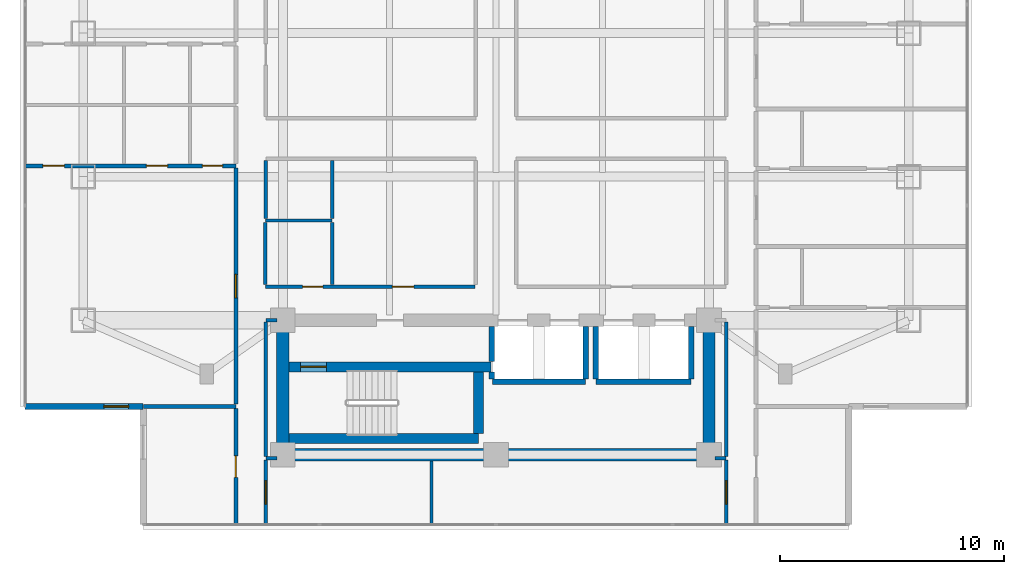
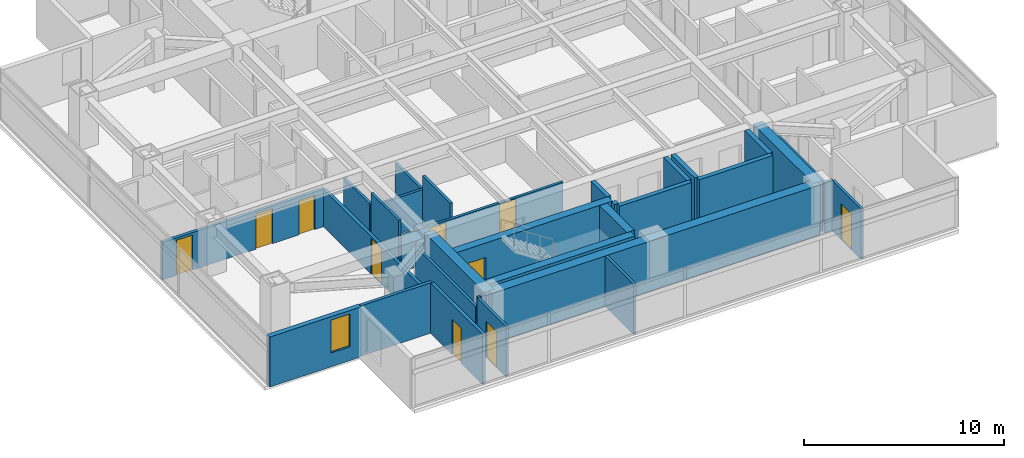
# One storey, part 13 of 25: 32 walls, 10 doors, 1 window, 11 openings.
"""IFC4 building model written with IfcOpenShell, lengths in metres."""

import ifcopenshell
import ifcopenshell.guid

model = None  # the IFC model being written
_history = None  # IfcOwnerHistory: only IFC2X3 demands one
_inside = {}  # id of a spatial element -> (the spatial element, [elements in it])
_under = {}  # id of a project, library or spatial element -> (it, [spatial elements below it])
_declared = {}  # id of a project -> (the project, [libraries it declares])
_typed = {}  # id of a type object -> (the type object, [elements of that type])
_made_of = {}  # id of a material, layer set ... -> (it, [elements and type objects made of it])


def new_model(schema):
    """Start an empty IFC model of exactly this schema.

    Asked for "IFC4X3", IfcOpenShell would pick the latest addendum, in which some entities
    have other attributes; the version numbers below select the first issue.
    IFC2X3 requires an IfcOwnerHistory on every rooted entity: one is made here for all.
    """
    global model, _history
    if schema == "IFC4X3":
        model = ifcopenshell.file(schema_version=(4, 3, 0, 0))
    else:
        model = ifcopenshell.file(schema=schema)
    _inside.clear()
    _under.clear()
    _declared.clear()
    _typed.clear()
    _made_of.clear()
    _history = None
    if model.schema == "IFC2X3":
        org = make("IfcOrganization", Name="unknown")
        user = make(
            "IfcPersonAndOrganization",
            ThePerson=make("IfcPerson", FamilyName="unknown"),
            TheOrganization=org,
        )
        app = make(
            "IfcApplication",
            ApplicationDeveloper=org,
            Version="unknown",
            ApplicationFullName="unknown",
            ApplicationIdentifier="unknown",
        )
        _history = make(
            "IfcOwnerHistory",
            OwningUser=user,
            OwningApplication=app,
            ChangeAction="ADDED",
            CreationDate=0,
        )
    return model


def make(cls, **values):
    """One entity of the class cls with the attributes given. An attribute that is None is left unset."""
    return model.create_entity(
        cls, **{name: value for name, value in values.items() if value is not None}
    )


def rooted(cls, **values):
    """An entity with a GlobalId (a new one), such as an element, a storey or a relation."""
    return make(cls, GlobalId=ifcopenshell.guid.new(), OwnerHistory=_history, **values)


def si_unit(unit_type, name, prefix=None):
    """IfcSIUnit, for example si_unit("LENGTHUNIT", "METRE", prefix="MILLI")."""
    return make("IfcSIUnit", UnitType=unit_type, Prefix=prefix, Name=name)


def assignment(units):
    """IfcUnitAssignment: the units of a project."""
    return None if units is None else make("IfcUnitAssignment", Units=units)


def point(xyz):
    """IfcCartesianPoint."""
    return None if xyz is None else make("IfcCartesianPoint", Coordinates=xyz)


def direction(xyz):
    """IfcDirection."""
    return None if xyz is None else make("IfcDirection", DirectionRatios=xyz)


def frame(location, z_axis=None, x_axis=None):
    """IfcAxis2Placement3D, a coordinate frame: its origin and axes. An axis left out is left unset."""
    return make(
        "IfcAxis2Placement3D",
        Location=point(location),
        Axis=direction(z_axis),
        RefDirection=direction(x_axis),
    )


def frame_2d(location, x_axis=None):
    """IfcAxis2Placement2D, a coordinate frame in the plane: its origin and x axis."""
    return make(
        "IfcAxis2Placement2D", Location=point(location), RefDirection=direction(x_axis)
    )


def origin():
    """The frame at (0, 0, 0) with its axes left unset."""
    return frame((0.0, 0.0, 0.0))


def place(relative_to, where):
    """IfcLocalPlacement: puts the frame where relative to a parent placement (None: the world)."""
    return make(
        "IfcLocalPlacement", PlacementRelTo=relative_to, RelativePlacement=where
    )


def context(
    kind, dimensions, precision=None, world=None, true_north=None, identifier=None
):
    """IfcGeometricRepresentationContext, for example the 3D "Model" context."""
    return make(
        "IfcGeometricRepresentationContext",
        ContextIdentifier=identifier,
        ContextType=kind,
        CoordinateSpaceDimension=dimensions,
        Precision=precision,
        WorldCoordinateSystem=world,
        TrueNorth=true_north,
    )


def subcontext(parent, identifier, kind, view, scale=None):
    """IfcGeometricRepresentationSubContext, for example "Body" below "Model"."""
    return make(
        "IfcGeometricRepresentationSubContext",
        ContextIdentifier=identifier,
        ContextType=kind,
        ParentContext=parent,
        TargetScale=scale,
        TargetView=view,
    )


def project(units=None, contexts=None):
    """IfcProject with its units and contexts."""
    return rooted(
        "IfcProject",
        Name="project",
        RepresentationContexts=contexts,
        UnitsInContext=assignment(units),
    )


def spatial(cls, under=None, at=None, **own):
    """A site, building, storey or space (cls), placed at a placement, below another one or the project."""
    s = rooted(cls, ObjectPlacement=at, **own)
    if under is not None:
        _under.setdefault(under.id(), (under, []))[1].append(s)
    return s


def profile(cls, at=None, kind="AREA", **sizes):
    """A parametric profile (cls). Its sizes go by their IFC names, for example OverallWidth=200.0."""
    return make(cls, ProfileType=kind, Position=at, **sizes)


def rectangle(**sizes):
    """IfcRectangleProfileDef."""
    return profile("IfcRectangleProfileDef", **sizes)


def extrude(swept, where, along, depth):
    """IfcExtrudedAreaSolid: the profile swept, set in the frame where, extruded along a direction by depth."""
    return make(
        "IfcExtrudedAreaSolid",
        SweptArea=swept,
        Position=where,
        ExtrudedDirection=direction(along),
        Depth=depth,
    )


def shape(context_of_items, identifier, shape_type, items):
    """IfcShapeRepresentation: the items that make up one representation, for example the "Body"."""
    return make(
        "IfcShapeRepresentation",
        ContextOfItems=context_of_items,
        RepresentationIdentifier=identifier,
        RepresentationType=shape_type,
        Items=items,
    )


def material(Name=None, Category=None):
    """IfcMaterial."""
    return make("IfcMaterial", Name=Name, Category=Category)


def layer(
    of_material, thickness, ventilated=None, Name=None, Category=None, Priority=None
):
    """IfcMaterialLayer: one layer of a wall or slab, of a material (None: an air gap)."""
    return make(
        "IfcMaterialLayer",
        Material=of_material,
        LayerThickness=thickness,
        IsVentilated=ventilated,
        Name=Name,
        Category=Category,
        Priority=Priority,
    )


def layer_set(layers, Name=None):
    """IfcMaterialLayerSet."""
    return make("IfcMaterialLayerSet", MaterialLayers=layers, LayerSetName=Name)


def made_of(thing, what):
    """Note that an element or type object is made of a material, layer set ...; save() writes the relation."""
    if what is not None:
        _made_of.setdefault(what.id(), (what, []))[1].append(thing)
    return thing


def type_object(cls, material=None, **own):
    """A type object (cls), such as IfcWallType, which elements share."""
    return made_of(rooted(cls, **own), material)


def element(
    cls,
    number,
    at=None,
    inside=None,
    cuts=None,
    type_object=None,
    material=None,
    context=None,
    identifier="Body",
    shape_type=None,
    held_by="IfcProductDefinitionShape",
    body=None,
    shapes=None,
    **own,
):
    """One element of the class cls, such as IfcWall. Its Tag is "e" and its number.

    at: its placement. inside: the storey or other place that contains it. cuts: it is an
    opening in that element (IfcRelVoidsElement). A single representation is given by context,
    identifier, shape_type and body (its items); several are given by shapes. held_by: the class
    of the entity that holds the representations. save() writes the other relations.
    """
    e = rooted(cls, Tag="e%d" % number, ObjectPlacement=at, **own)
    if body is not None:
        shapes = [shape(context, identifier, shape_type, body)]
    if shapes is not None:
        e.Representation = make(held_by, Representations=shapes)
    if inside is not None:
        _inside.setdefault(inside.id(), (inside, []))[1].append(e)
    if cuts is not None:
        rooted(
            "IfcRelVoidsElement", RelatingBuildingElement=cuts, RelatedOpeningElement=e
        )
    if type_object is not None:
        _typed.setdefault(type_object.id(), (type_object, []))[1].append(e)
    return made_of(e, material)


def fill(opening, filler):
    """IfcRelFillsElement: the door or window that sits in an opening."""
    return rooted(
        "IfcRelFillsElement",
        RelatingOpeningElement=opening,
        RelatedBuildingElement=filler,
    )


def aggregate(whole, parts):
    """IfcRelAggregates: a whole, such as a stair, and the parts it consists of."""
    return rooted("IfcRelAggregates", RelatingObject=whole, RelatedObjects=parts)


def save(model, path):
    """Write the relations noted so far, then the file.

    IfcRelAggregates (storeys below a building ...), IfcRelContainedInSpatialStructure (elements
    in a storey), IfcRelDefinesByType, IfcRelAssociatesMaterial and IfcRelDeclares: one each for
    every whole, place, type object, material and project.
    """
    for whole, parts in _under.values():
        aggregate(whole, parts)
    for where, things in _inside.values():
        rooted(
            "IfcRelContainedInSpatialStructure",
            RelatedElements=things,
            RelatingStructure=where,
        )
    for kind, things in _typed.values():
        rooted("IfcRelDefinesByType", RelatedObjects=things, RelatingType=kind)
    for what, things in _made_of.values():
        rooted("IfcRelAssociatesMaterial", RelatedObjects=things, RelatingMaterial=what)
    for by, libraries in _declared.values():
        rooted("IfcRelDeclares", RelatingContext=by, RelatedDefinitions=libraries)
    model.write(path)


model = new_model("IFC4")

# Units and contexts
model_context = context("Model", 3, precision=1e-05, world=origin(), true_north=direction((0.0, 1.0)))
body_context = subcontext(model_context, "Body", "Model", "MODEL_VIEW")
ifc_project = project(units=[si_unit("LENGTHUNIT", "METRE"), si_unit("AREAUNIT", "SQUARE_METRE"), si_unit("VOLUMEUNIT", "CUBIC_METRE"), si_unit("PLANEANGLEUNIT", "RADIAN"), si_unit("MASSUNIT", "GRAM", prefix="KILO")], contexts=[model_context])

# Site, building, storey
site_placement = place(None, origin())
site = spatial("IfcSite", under=ifc_project, at=site_placement, CompositionType="ELEMENT")
building_placement = place(site_placement, origin())
building = spatial("IfcBuilding", under=site, at=building_placement, Name="Mirazonda Arch Towers", CompositionType="ELEMENT")
storey_placement = place(building_placement, frame((0.0, 0.0, 131.300048828125)))
storey = spatial("IfcBuildingStorey", under=building, at=storey_placement, Name="L37", CompositionType="ELEMENT", Elevation=131.300048828125)

# Wall
ifc_material_1 = material(Name="Concrete C50/60", Category="concrete")
ifc_layer_1 = layer(ifc_material_1, 0.449951171875, Name="WALL-CORE-450")
ifc_layer_set_1 = layer_set([ifc_layer_1], Name="Concrete C50/60")
wall_type_1 = type_object("IfcWallType", Name="WALL-CORE-450", PredefinedType="SHEAR", material=ifc_layer_set_1)
wall_1_placement = place(storey_placement, frame((11.27001953125, 13.1201171875, 0.0), z_axis=(0.0, 0.0, 1.0), x_axis=(1.0, 0.0, 0.0)))
element("IfcWall", 1, at=wall_1_placement, inside=storey, type_object=wall_type_1, Name="L37 Stair Core Shear Wall 003", PredefinedType="SHEAR", context=body_context, shape_type="SweptSolid", body=[
    extrude(rectangle(XDim=8.4599609375, YDim=0.449951171875, at=frame_2d((4.22998046875, 0.0))), origin(), (0.0, 0.0, 1.0), 3.079833984375),
])

# Wall, opening, door
wall_2_placement = place(storey_placement, frame((11.27001953125, 16.320068359375, 0.0), z_axis=(0.0, 0.0, 1.0), x_axis=(1.0, 0.0, 0.0)))
wall_2 = element("IfcWall", 2, at=wall_2_placement, inside=storey, type_object=wall_type_1, Name="L37 Stair Core Shear Wall 008", PredefinedType="SHEAR", context=body_context, shape_type="SweptSolid", body=[
    extrude(rectangle(XDim=9.010009765625, YDim=0.449951171875, at=frame_2d((4.5048828125, 0.0))), origin(), (0.0, 0.0, 1.0), 3.079833984375),
])
opening_1_placement = place(wall_2_placement, frame((0.52001953125, 0.0, 0.0)))
opening_1 = element("IfcOpeningElement", 3, at=opening_1_placement, cuts=wall_2, Name="Opening DR-135", PredefinedType="OPENING", context=body_context, shape_type="SweptSolid", body=[
    extrude(rectangle(XDim=1.14990234375, YDim=2.199951171875, at=frame_2d((0.574951171875, 1.10009765625))), frame((0.0, 0.23486328125, 0.0), z_axis=(0.0, -1.0, 0.0), x_axis=(1.0, 0.0, 0.0)), (0.0, 0.0, 1.0), 0.469970703125),
])
ifc_material_2 = material(Name="Architectural Brushed Steel S355", Category="steel")
door_type_1 = type_object("IfcDoorType", Name="DOOR-STAIR-FD90-1150", OperationType="NOTDEFINED", PredefinedType="DOOR", material=ifc_material_2)
door_1_placement = place(opening_1_placement, origin())
door_1 = element("IfcDoor", 4, at=door_1_placement, inside=storey, type_object=door_type_1, Name="L37 Protected Exit Stair South Door", OperationType="SINGLE_SWING_RIGHT", OverallHeight=2.199951171875, OverallWidth=1.14990234375, PredefinedType="DOOR", context=body_context, shape_type="SweptSolid", body=[
    extrude(rectangle(XDim=1.14990234375, YDim=2.199951171875, at=frame_2d((0.574951171875, 1.10009765625))), frame((0.0, 0.02490234375, 0.0), z_axis=(0.0, -1.0, 0.0), x_axis=(1.0, 0.0, 0.0)), (0.0, 0.0, 1.0), 0.050048828125),
])
fill(opening_1, door_1)

# Walls
wall_3_placement = place(storey_placement, frame((19.72998046875, 13.35498046875, 0.0), z_axis=(0.0, 0.0, 1.0), x_axis=(0.0, 1.0, 0.0)))
element("IfcWall", 5, at=wall_3_placement, inside=storey, type_object=wall_type_1, Name="L37 Stair Core Shear Wall 087", PredefinedType="SHEAR", context=body_context, shape_type="SweptSolid", body=[
    extrude(rectangle(XDim=2.72998046875, YDim=0.449951171875, at=frame_2d((1.364990234375, 0.0))), origin(), (0.0, 0.0, 1.0), 3.079833984375),
])
ifc_layer_2 = layer(ifc_material_1, 0.550048828125, Name="WALL-CORE-550")
ifc_layer_set_2 = layer_set([ifc_layer_2], Name="Concrete C50/60")
wall_type_2 = type_object("IfcWallType", Name="WALL-CORE-550", PredefinedType="SHEAR", material=ifc_layer_set_2)
wall_4_placement = place(storey_placement, frame((11.0, 12.39990234375, 0.0), z_axis=(0.0, 0.0, 1.0), x_axis=(1.0, 0.0, 0.0)))
element("IfcWall", 6, at=wall_4_placement, inside=storey, type_object=wall_type_2, Name="L37 T1S-S Core Shear Wall", PredefinedType="SHEAR", context=body_context, shape_type="SweptSolid", body=[
    extrude(rectangle(XDim=19.0, YDim=0.550048828125, at=frame_2d((9.5, 0.0))), origin(), (0.0, 0.0, 1.0), 3.079833984375),
])
for number, where, z_axis, x_axis, name in (
    (7, (11.0, 12.39990234375, 0.0), (0.0, 0.0, 1.0), (0.0, 1.0, 0.0), "L37 T1S-W Core Shear Wall"),
    (8, (30.0, 12.39990234375, 0.0), (0.0, 0.0, 1.0), (0.0, 1.0, 0.0), "L37 T1S-E Core Shear Wall"),
):
    element("IfcWall", number, at=place(storey_placement, frame(where, z_axis=z_axis, x_axis=x_axis)), inside=storey, type_object=wall_type_2, Name=name, PredefinedType="SHEAR", context=body_context, shape_type="SweptSolid", body=[
        extrude(rectangle(XDim=6.0, YDim=0.550048828125, at=frame_2d((3.0, 0.0))), origin(), (0.0, 0.0, 1.0), 3.079833984375),
    ])

# Wall, opening, window
ifc_material_3 = material(Name="Precast Concrete C40/50", Category="concrete")
ifc_layer_3 = layer(ifc_material_3, 0.280029296875, Name="WALL-EXT-WALL-280")
ifc_layer_set_3 = layer_set([ifc_layer_3], Name="Precast Concrete C40/50")
wall_type_3 = type_object("IfcWallType", Name="WALL-EXT-WALL-280", PredefinedType="SOLIDWALL", material=ifc_layer_set_3)
wall_5_placement = place(storey_placement, frame((-0.5, 14.55810546875, 0.0), z_axis=(0.0, 0.0, 1.0), x_axis=(1.0, 0.0, 0.0)))
wall_5 = element("IfcWall", 9, at=wall_5_placement, inside=storey, type_object=wall_type_3, Name="L37 T1 Corner Notch Return Wall WL-L37-T1-CSW2", PredefinedType="SOLIDWALL", context=body_context, shape_type="SweptSolid", body=[
    extrude(rectangle(XDim=5.27001953125, YDim=0.280029296875, at=frame_2d((2.635009765625, 0.0))), origin(), (0.0, 0.0, 1.0), 3.06005859375),
])
opening_2_placement = place(wall_5_placement, frame((3.52001953125, 0.0, 0.85009765625)))
opening_2 = element("IfcOpeningElement", 10, at=opening_2_placement, cuts=wall_5, Name="Opening WN-108", PredefinedType="OPENING", context=body_context, shape_type="SweptSolid", body=[
    extrude(rectangle(XDim=1.10009765625, YDim=2.0, at=frame_2d((0.550048828125, 1.0))), frame((0.0, 0.14990234375, 0.0), z_axis=(0.0, -1.0, 0.0), x_axis=(1.0, 0.0, 0.0)), (0.0, 0.0, 1.0), 0.300048828125),
])
ifc_material_4 = material(Name="Insulated Low-E Solar Glass", Category="glass")
window_type = type_object("IfcWindowType", Name="WIN-NOTCH-1100x2000", PartitioningType="SINGLE_PANEL", PredefinedType="WINDOW", material=ifc_material_4)
window_placement = place(opening_2_placement, origin())
window = element("IfcWindow", 11, at=window_placement, inside=storey, type_object=window_type, Name="L37 Punched Facade Window WN-L37-T1-CSW2", OverallHeight=2.0, OverallWidth=1.10009765625, PartitioningType="SINGLE_PANEL", PredefinedType="WINDOW", context=body_context, shape_type="SweptSolid", body=[
    extrude(rectangle(XDim=1.10009765625, YDim=2.0, at=frame_2d((0.550048828125, 1.0))), frame((0.0, 0.030029296875, 0.0), z_axis=(0.0, -1.0, 0.0), x_axis=(1.0, 0.0, 0.0)), (0.0, 0.0, 1.0), 0.06005859375),
])
fill(opening_2, window)

# Walls
ifc_material_5 = material(Name="Fire-Rated Gypsum Stud Partition")
ifc_layer_4 = layer(ifc_material_5, 0.14990234375, Name="WALL-PART-CORR-150")
ifc_layer_set_4 = layer_set([ifc_layer_4], Name="Fire-Rated Gypsum Stud Partition")
wall_type_4 = type_object("IfcWallType", Name="WALL-PART-CORR-150", PredefinedType="PARTITIONING", material=ifc_layer_set_4)
for number, where, z_axis, x_axis, name in (
    (12, (10.239990234375, 12.25, 0.0), (0.0, 0.0, 1.0), (1.0, 0.0, 0.0), "L37 Interior Partition 001"),
    (13, (30.27001953125, 12.25, 0.0), (0.0, 0.0, 1.0), (1.0, 0.0, 0.0), "L37 Interior Partition 002"),
):
    element("IfcWall", number, at=place(storey_placement, frame(where, z_axis=z_axis, x_axis=x_axis)), inside=storey, type_object=wall_type_4, Name=name, PredefinedType="PARTITIONING", context=body_context, shape_type="SweptSolid", body=[
        extrude(rectangle(XDim=0.489990234375, YDim=0.14990234375, at=frame_2d((0.2451171875, 0.0))), origin(), (0.0, 0.0, 1.0), 3.079833984375),
    ])
wall_6_placement = place(storey_placement, frame((10.239990234375, 18.39990234375, 0.0), z_axis=(0.0, 0.0, 1.0), x_axis=(1.0, 0.0, 0.0)))
element("IfcWall", 14, at=wall_6_placement, inside=storey, type_object=wall_type_4, Name="L37 Interior Partition 012", PredefinedType="PARTITIONING", context=body_context, shape_type="SweptSolid", body=[
    extrude(rectangle(XDim=0.489990234375, YDim=0.14990234375, at=frame_2d((0.2451171875, 0.0))), origin(), (0.0, 0.0, 1.0), 2.4560546875),
])

# Wall, openings, doors
wall_7_placement = place(storey_placement, frame((10.219970703125, 19.89990234375, 0.0), z_axis=(0.0, 0.0, 1.0), x_axis=(1.0, 0.0, 0.0)))
wall_7 = element("IfcWall", 15, at=wall_7_placement, inside=storey, type_object=wall_type_4, Name="L37 Interior Partition 016", PredefinedType="PARTITIONING", context=body_context, shape_type="SweptSolid", body=[
    extrude(rectangle(XDim=9.340087890625, YDim=0.14990234375, at=frame_2d((4.669921875, 0.0))), origin(), (0.0, 0.0, 1.0), 2.216064453125),
])
opening_3_placement = place(wall_7_placement, frame((1.659912109375, 0.0, 0.0)))
opening_3 = element("IfcOpeningElement", 16, at=opening_3_placement, cuts=wall_7, Name="Opening DR-120", PredefinedType="OPENING", context=body_context, shape_type="SweptSolid", body=[
    extrude(rectangle(XDim=0.89990234375, YDim=2.10009765625, at=frame_2d((0.449951171875, 1.050048828125))), frame((0.0, 0.0849609375, 0.0), z_axis=(0.0, -1.0, 0.0), x_axis=(1.0, 0.0, 0.0)), (0.0, 0.0, 1.0), 0.169921875),
])
opening_4_placement = place(wall_7_placement, frame((5.6650390625, 0.0, 0.0)))
opening_4 = element("IfcOpeningElement", 17, at=opening_4_placement, cuts=wall_7, Name="Opening DR-104", PredefinedType="OPENING", context=body_context, shape_type="SweptSolid", body=[
    extrude(rectangle(XDim=0.949951171875, YDim=2.14990234375, at=frame_2d((0.47509765625, 1.074951171875))), frame((0.0, 0.0849609375, 0.0), z_axis=(0.0, -1.0, 0.0), x_axis=(1.0, 0.0, 0.0)), (0.0, 0.0, 1.0), 0.169921875),
])
door_type_2 = type_object("IfcDoorType", Name="DOOR-ROOM-950", OperationType="NOTDEFINED", PredefinedType="DOOR", material=ifc_material_2)
door_2_placement = place(opening_4_placement, origin())
door_2 = element("IfcDoor", 18, at=door_2_placement, inside=storey, type_object=door_type_2, Name="L37 L37 West Courtyard Study Door", OperationType="SINGLE_SWING_RIGHT", OverallHeight=2.14990234375, OverallWidth=0.949951171875, PredefinedType="DOOR", context=body_context, shape_type="SweptSolid", body=[
    extrude(rectangle(XDim=0.949951171875, YDim=2.14990234375, at=frame_2d((0.47509765625, 1.074951171875))), frame((0.0, 0.02490234375, 0.0), z_axis=(0.0, -1.0, 0.0), x_axis=(1.0, 0.0, 0.0)), (0.0, 0.0, 1.0), 0.050048828125),
])
fill(opening_4, door_2)
door_type_3 = type_object("IfcDoorType", Name="DOOR-WC-900", OperationType="NOTDEFINED", PredefinedType="DOOR", material=ifc_material_2)
door_3_placement = place(opening_3_placement, origin())
door_3 = element("IfcDoor", 19, at=door_3_placement, inside=storey, type_object=door_type_3, Name="L37 Common Accessible WC Door", OperationType="SINGLE_SWING_LEFT", OverallHeight=2.10009765625, OverallWidth=0.89990234375, PredefinedType="DOOR", context=body_context, shape_type="SweptSolid", body=[
    extrude(rectangle(XDim=0.89990234375, YDim=2.10009765625, at=frame_2d((0.449951171875, 1.050048828125))), frame((0.0, 0.02490234375, 0.0), z_axis=(0.0, -1.0, 0.0), x_axis=(1.0, 0.0, 0.0)), (0.0, 0.0, 1.0), 0.050048828125),
])
fill(opening_3, door_3)

# Walls
wall_8_placement = place(storey_placement, frame((10.219970703125, 22.85009765625, 0.0), z_axis=(0.0, 0.0, 1.0), x_axis=(1.0, 0.0, 0.0)))
element("IfcWall", 20, at=wall_8_placement, inside=storey, type_object=wall_type_4, Name="L37 Interior Partition 024", PredefinedType="PARTITIONING", context=body_context, shape_type="SweptSolid", body=[
    extrude(rectangle(XDim=2.97998046875, YDim=0.14990234375, at=frame_2d((1.489990234375, 0.0))), origin(), (0.0, 0.0, 1.0), 2.216064453125),
])
wall_9_placement = place(storey_placement, frame((10.219970703125, 19.985107421875, 0.0), z_axis=(0.0, 0.0, 1.0), x_axis=(0.0, 1.0, 0.0)))
element("IfcWall", 21, at=wall_9_placement, inside=storey, type_object=wall_type_4, Name="L37 Interior Partition 072", PredefinedType="PARTITIONING", context=body_context, shape_type="SweptSolid", body=[
    extrude(rectangle(XDim=2.77978515625, YDim=0.14990234375, at=frame_2d((1.389892578125, 0.0))), origin(), (0.0, 0.0, 1.0), 3.079833984375),
])

# Wall, opening, door
wall_10_placement = place(storey_placement, frame((10.239990234375, 9.2880859375, 0.0), z_axis=(0.0, 0.0, 1.0), x_axis=(0.0, 1.0, 0.0)))
wall_10 = element("IfcWall", 22, at=wall_10_placement, inside=storey, type_object=wall_type_4, Name="L37 Interior Partition 073", PredefinedType="PARTITIONING", context=body_context, shape_type="SweptSolid", body=[
    extrude(rectangle(XDim=2.876953125, YDim=0.14990234375, at=frame_2d((1.4384765625, 0.0))), origin(), (0.0, 0.0, 1.0), 3.079833984375),
])
opening_5_placement = place(wall_10_placement, frame((0.91357421875, 0.0, 0.0)))
opening_5 = element("IfcOpeningElement", 23, at=opening_5_placement, cuts=wall_10, Name="Opening DR-121", PredefinedType="OPENING", context=body_context, shape_type="SweptSolid", body=[
    extrude(rectangle(XDim=1.050048828125, YDim=2.199951171875, at=frame_2d((0.52490234375, 1.10009765625))), frame((0.0, 0.0849609375, 0.0), z_axis=(0.0, -1.0, 0.0), x_axis=(1.0, 0.0, 0.0)), (0.0, 0.0, 1.0), 0.169921875),
])
door_type_4 = type_object("IfcDoorType", Name="DOOR-SUITE-FD60-1050", OperationType="NOTDEFINED", PredefinedType="DOOR", material=ifc_material_2)
door_4_placement = place(opening_5_placement, origin())
door_4 = element("IfcDoor", 24, at=door_4_placement, inside=storey, type_object=door_type_4, Name="L37 South Panoramic Study Minor Door", OperationType="SINGLE_SWING_RIGHT", OverallHeight=2.199951171875, OverallWidth=1.050048828125, PredefinedType="DOOR", context=body_context, shape_type="SweptSolid", body=[
    extrude(rectangle(XDim=1.050048828125, YDim=2.199951171875, at=frame_2d((0.52490234375, 1.10009765625))), frame((0.0, 0.02490234375, 0.0), z_axis=(0.0, -1.0, 0.0), x_axis=(1.0, 0.0, 0.0)), (0.0, 0.0, 1.0), 0.050048828125),
])
fill(opening_5, door_4)

# Walls
wall_11_placement = place(storey_placement, frame((10.239990234375, 12.3349609375, 0.0), z_axis=(0.0, 0.0, 1.0), x_axis=(0.0, 1.0, 0.0)))
element("IfcWall", 25, at=wall_11_placement, inside=storey, type_object=wall_type_4, Name="L37 Interior Partition 074", PredefinedType="PARTITIONING", context=body_context, shape_type="SweptSolid", body=[
    extrude(rectangle(XDim=5.97998046875, YDim=0.14990234375, at=frame_2d((2.989990234375, 0.0))), origin(), (0.0, 0.0, 1.0), 2.4560546875),
])
wall_12_placement = place(storey_placement, frame((10.239990234375, 22.93505859375, 0.0), z_axis=(0.0, 0.0, 1.0), x_axis=(0.0, 1.0, 0.0)))
element("IfcWall", 26, at=wall_12_placement, inside=storey, type_object=wall_type_4, Name="L37 Interior Partition 075", PredefinedType="PARTITIONING", context=body_context, shape_type="SweptSolid", body=[
    extrude(rectangle(XDim=2.579833984375, YDim=0.14990234375, at=frame_2d((1.2900390625, 0.0))), origin(), (0.0, 0.0, 1.0), 2.299072265625),
])
wall_13_placement = place(storey_placement, frame((13.199951171875, 19.985107421875, 0.0), z_axis=(0.0, 0.0, 1.0), x_axis=(0.0, 1.0, 0.0)))
element("IfcWall", 27, at=wall_13_placement, inside=storey, type_object=wall_type_4, Name="L37 Interior Partition 080", PredefinedType="PARTITIONING", context=body_context, shape_type="SweptSolid", body=[
    extrude(rectangle(XDim=2.77978515625, YDim=0.14990234375, at=frame_2d((1.389892578125, 0.0))), origin(), (0.0, 0.0, 1.0), 3.079833984375),
])
wall_14_placement = place(storey_placement, frame((13.199951171875, 22.93505859375, 0.0), z_axis=(0.0, 0.0, 1.0), x_axis=(0.0, 1.0, 0.0)))
element("IfcWall", 28, at=wall_14_placement, inside=storey, type_object=wall_type_4, Name="L37 Interior Partition 081", PredefinedType="PARTITIONING", context=body_context, shape_type="SweptSolid", body=[
    extrude(rectangle(XDim=2.579833984375, YDim=0.14990234375, at=frame_2d((1.2900390625, 0.0))), origin(), (0.0, 0.0, 1.0), 2.216064453125),
])
wall_15_placement = place(storey_placement, frame((17.626953125, 9.2880859375, 0.0), z_axis=(0.0, 0.0, 1.0), x_axis=(0.0, 1.0, 0.0)))
element("IfcWall", 29, at=wall_15_placement, inside=storey, type_object=wall_type_4, Name="L37 Interior Partition 083", PredefinedType="PARTITIONING", context=body_context, shape_type="SweptSolid", body=[
    extrude(rectangle(XDim=2.841796875, YDim=0.14990234375, at=frame_2d((1.4208984375, 0.0))), origin(), (0.0, 0.0, 1.0), 3.079833984375),
])

# Wall, opening, door
wall_16_placement = place(storey_placement, frame((30.760009765625, 9.2880859375, 0.0), z_axis=(0.0, 0.0, 1.0), x_axis=(0.0, 1.0, 0.0)))
wall_16 = element("IfcWall", 30, at=wall_16_placement, inside=storey, type_object=wall_type_4, Name="L37 Interior Partition 104", PredefinedType="PARTITIONING", context=body_context, shape_type="SweptSolid", body=[
    extrude(rectangle(XDim=2.876953125, YDim=0.14990234375, at=frame_2d((1.4384765625, 0.0))), origin(), (0.0, 0.0, 1.0), 3.079833984375),
])
opening_6_placement = place(wall_16_placement, frame((0.91357421875, 0.0, 0.0)))
opening_6 = element("IfcOpeningElement", 31, at=opening_6_placement, cuts=wall_16, Name="Opening DR-121", PredefinedType="OPENING", context=body_context, shape_type="SweptSolid", body=[
    extrude(rectangle(XDim=1.050048828125, YDim=2.199951171875, at=frame_2d((0.52490234375, 1.10009765625))), frame((0.0, 0.0849609375, 0.0), z_axis=(0.0, -1.0, 0.0), x_axis=(1.0, 0.0, 0.0)), (0.0, 0.0, 1.0), 0.169921875),
])
door_5_placement = place(opening_6_placement, origin())
door_5 = element("IfcDoor", 32, at=door_5_placement, inside=storey, type_object=door_type_4, Name="L37 South Panoramic Study Grand Door", OperationType="SINGLE_SWING_LEFT", OverallHeight=2.199951171875, OverallWidth=1.050048828125, PredefinedType="DOOR", context=body_context, shape_type="SweptSolid", body=[
    extrude(rectangle(XDim=1.050048828125, YDim=2.199951171875, at=frame_2d((0.52490234375, 1.10009765625))), frame((0.0, 0.02490234375, 0.0), z_axis=(0.0, -1.0, 0.0), x_axis=(1.0, 0.0, 0.0)), (0.0, 0.0, 1.0), 0.050048828125),
])
fill(opening_6, door_5)

# Walls
wall_17_placement = place(storey_placement, frame((30.760009765625, 12.3349609375, 0.0), z_axis=(0.0, 0.0, 1.0), x_axis=(0.0, 1.0, 0.0)))
element("IfcWall", 33, at=wall_17_placement, inside=storey, type_object=wall_type_4, Name="L37 Interior Partition 105", PredefinedType="PARTITIONING", context=body_context, shape_type="SweptSolid", body=[
    extrude(rectangle(XDim=5.97998046875, YDim=0.14990234375, at=frame_2d((2.989990234375, 0.0))), origin(), (0.0, 0.0, 1.0), 2.4560546875),
])
ifc_material_6 = material(Name="Fire-Rated Gypsum Twin-Stud Assembly")
ifc_layer_5 = layer(ifc_material_6, 0.179931640625, Name="WALL-PART-DEMISE-180")
ifc_layer_set_5 = layer_set([ifc_layer_5], Name="Fire-Rated Gypsum Twin-Stud Assembly")
wall_type_5 = type_object("IfcWallType", Name="WALL-PART-DEMISE-180", PredefinedType="PARTITIONING", material=ifc_layer_set_5)
wall_18_placement = place(storey_placement, frame((4.7900390625, 14.55810546875, 0.0), z_axis=(0.0, 0.0, 1.0), x_axis=(1.0, 0.0, 0.0)))
element("IfcWall", 34, at=wall_18_placement, inside=storey, type_object=wall_type_5, Name="L37 Interior Partition 004", PredefinedType="PARTITIONING", context=body_context, shape_type="SweptSolid", body=[
    extrude(rectangle(XDim=4.10986328125, YDim=0.179931640625, at=frame_2d((2.054931640625, 0.0))), origin(), (0.0, 0.0, 1.0), 3.079833984375),
])

# Wall, openings, doors
wall_19_placement = place(storey_placement, frame((-0.5, 25.280029296875, 0.0), z_axis=(0.0, 0.0, 1.0), x_axis=(1.0, 0.0, 0.0)))
wall_19 = element("IfcWall", 35, at=wall_19_placement, inside=storey, type_object=wall_type_5, Name="L37 Interior Partition 028", PredefinedType="PARTITIONING", context=body_context, shape_type="SweptSolid", body=[
    extrude(rectangle(XDim=9.39990234375, YDim=0.179931640625, at=frame_2d((4.699951171875, 0.0))), origin(), (0.0, 0.0, 1.0), 2.299072265625),
])
opening_7_placement = place(wall_19_placement, frame((0.802978515625, 0.0, 0.0)))
opening_7 = element("IfcOpeningElement", 36, at=opening_7_placement, cuts=wall_19, Name="Opening DR-104", PredefinedType="OPENING", context=body_context, shape_type="SweptSolid", body=[
    extrude(rectangle(XDim=0.949951171875, YDim=2.14990234375, at=frame_2d((0.47509765625, 1.074951171875))), frame((0.0, 0.099853515625, 0.0), z_axis=(0.0, -1.0, 0.0), x_axis=(1.0, 0.0, 0.0)), (0.0, 0.0, 1.0), 0.199951171875),
])
opening_8_placement = place(wall_19_placement, frame((5.4130859375, 0.0, 0.0)))
opening_8 = element("IfcOpeningElement", 37, at=opening_8_placement, cuts=wall_19, Name="Opening DR-104", PredefinedType="OPENING", context=body_context, shape_type="SweptSolid", body=[
    extrude(rectangle(XDim=0.949951171875, YDim=2.14990234375, at=frame_2d((0.47509765625, 1.074951171875))), frame((0.0, 0.099853515625, 0.0), z_axis=(0.0, -1.0, 0.0), x_axis=(1.0, 0.0, 0.0)), (0.0, 0.0, 1.0), 0.199951171875),
])
opening_9_placement = place(wall_19_placement, frame((7.909912109375, 0.0, 0.0)))
opening_9 = element("IfcOpeningElement", 38, at=opening_9_placement, cuts=wall_19, Name="Opening DR-120", PredefinedType="OPENING", context=body_context, shape_type="SweptSolid", body=[
    extrude(rectangle(XDim=0.89990234375, YDim=2.10009765625, at=frame_2d((0.449951171875, 1.050048828125))), frame((0.0, 0.099853515625, 0.0), z_axis=(0.0, -1.0, 0.0), x_axis=(1.0, 0.0, 0.0)), (0.0, 0.0, 1.0), 0.199951171875),
])
door_6_placement = place(opening_7_placement, origin())
door_6 = element("IfcDoor", 39, at=door_6_placement, inside=storey, type_object=door_type_2, Name="L37 Residence 1 Principal Bedroom Door", OperationType="SINGLE_SWING_LEFT", OverallHeight=2.14990234375, OverallWidth=0.949951171875, PredefinedType="DOOR", context=body_context, shape_type="SweptSolid", body=[
    extrude(rectangle(XDim=0.949951171875, YDim=2.14990234375, at=frame_2d((0.47509765625, 1.074951171875))), frame((0.0, 0.02490234375, 0.0), z_axis=(0.0, -1.0, 0.0), x_axis=(1.0, 0.0, 0.0)), (0.0, 0.0, 1.0), 0.050048828125),
])
fill(opening_7, door_6)
door_7_placement = place(opening_8_placement, origin())
door_7 = element("IfcDoor", 40, at=door_7_placement, inside=storey, type_object=door_type_2, Name="L37 Residence 1 Fitted Kitchen Door", OperationType="SINGLE_SWING_RIGHT", OverallHeight=2.14990234375, OverallWidth=0.949951171875, PredefinedType="DOOR", context=body_context, shape_type="SweptSolid", body=[
    extrude(rectangle(XDim=0.949951171875, YDim=2.14990234375, at=frame_2d((0.47509765625, 1.074951171875))), frame((0.0, 0.02490234375, 0.0), z_axis=(0.0, -1.0, 0.0), x_axis=(1.0, 0.0, 0.0)), (0.0, 0.0, 1.0), 0.050048828125),
])
fill(opening_8, door_7)
door_8_placement = place(opening_9_placement, origin())
door_8 = element("IfcDoor", 41, at=door_8_placement, inside=storey, type_object=door_type_3, Name="L37 Residence 1 Bathroom Door", OperationType="SINGLE_SWING_LEFT", OverallHeight=2.10009765625, OverallWidth=0.89990234375, PredefinedType="DOOR", context=body_context, shape_type="SweptSolid", body=[
    extrude(rectangle(XDim=0.89990234375, YDim=2.10009765625, at=frame_2d((0.449951171875, 1.050048828125))), frame((0.0, 0.02490234375, 0.0), z_axis=(0.0, -1.0, 0.0), x_axis=(1.0, 0.0, 0.0)), (0.0, 0.0, 1.0), 0.050048828125),
])
fill(opening_9, door_8)

# Wall, opening, door
wall_20_placement = place(storey_placement, frame((8.89990234375, 9.2880859375, 0.0), z_axis=(0.0, 0.0, 1.0), x_axis=(0.0, 1.0, 0.0)))
wall_20 = element("IfcWall", 42, at=wall_20_placement, inside=storey, type_object=wall_type_5, Name="L37 Interior Partition 066", PredefinedType="PARTITIONING", context=body_context, shape_type="SweptSolid", body=[
    extrude(rectangle(XDim=5.169921875, YDim=0.179931640625, at=frame_2d((2.5849609375, 0.0))), origin(), (0.0, 0.0, 1.0), 3.079833984375),
])
opening_10_placement = place(wall_20_placement, frame((2.110107421875, 0.0, 0.0)))
opening_10 = element("IfcOpeningElement", 43, at=opening_10_placement, cuts=wall_20, Name="Opening DR-104", PredefinedType="OPENING", context=body_context, shape_type="SweptSolid", body=[
    extrude(rectangle(XDim=0.949951171875, YDim=2.14990234375, at=frame_2d((0.47509765625, 1.074951171875))), frame((0.0, 0.099853515625, 0.0), z_axis=(0.0, -1.0, 0.0), x_axis=(1.0, 0.0, 0.0)), (0.0, 0.0, 1.0), 0.199951171875),
])
door_9_placement = place(opening_10_placement, origin())
door_9 = element("IfcDoor", 44, at=door_9_placement, inside=storey, type_object=door_type_2, Name="L37 South Panoramic Study Alcove West Door", OperationType="SINGLE_SWING_RIGHT", OverallHeight=2.14990234375, OverallWidth=0.949951171875, PredefinedType="DOOR", context=body_context, shape_type="SweptSolid", body=[
    extrude(rectangle(XDim=0.949951171875, YDim=2.14990234375, at=frame_2d((0.47509765625, 1.074951171875))), frame((0.0, 0.02490234375, 0.0), z_axis=(0.0, -1.0, 0.0), x_axis=(1.0, 0.0, 0.0)), (0.0, 0.0, 1.0), 0.050048828125),
])
fill(opening_10, door_9)

wall_21_placement = place(storey_placement, frame((8.89990234375, 14.657958984375, 0.0), z_axis=(0.0, 0.0, 1.0), x_axis=(0.0, 1.0, 0.0)))
wall_21 = element("IfcWall", 45, at=wall_21_placement, inside=storey, type_object=wall_type_5, Name="L37 Interior Partition 067", PredefinedType="PARTITIONING", context=body_context, shape_type="SweptSolid", body=[
    extrude(rectangle(XDim=10.52197265625, YDim=0.179931640625, at=frame_2d((5.260986328125, 0.0))), origin(), (0.0, 0.0, 1.0), 2.299072265625),
])
opening_11_placement = place(wall_21_placement, frame((4.736083984375, 0.0, 0.0)))
opening_11 = element("IfcOpeningElement", 46, at=opening_11_placement, cuts=wall_21, Name="Opening DR-121", PredefinedType="OPENING", context=body_context, shape_type="SweptSolid", body=[
    extrude(rectangle(XDim=1.050048828125, YDim=2.199951171875, at=frame_2d((0.52490234375, 1.10009765625))), frame((0.0, 0.099853515625, 0.0), z_axis=(0.0, -1.0, 0.0), x_axis=(1.0, 0.0, 0.0)), (0.0, 0.0, 1.0), 0.199951171875),
])
door_10_placement = place(opening_11_placement, origin())
door_10 = element("IfcDoor", 47, at=door_10_placement, inside=storey, type_object=door_type_4, Name="L37 Penthouse Residence 1 Living & Dining Salon Door", OperationType="SINGLE_SWING_RIGHT", OverallHeight=2.199951171875, OverallWidth=1.050048828125, PredefinedType="DOOR", context=body_context, shape_type="SweptSolid", body=[
    extrude(rectangle(XDim=1.050048828125, YDim=2.199951171875, at=frame_2d((0.52490234375, 1.10009765625))), frame((0.0, 0.02490234375, 0.0), z_axis=(0.0, -1.0, 0.0), x_axis=(1.0, 0.0, 0.0)), (0.0, 0.0, 1.0), 0.050048828125),
])
fill(opening_11, door_10)

# Walls
ifc_material_7 = material(Name="Concrete C40/50", Category="concrete")
ifc_layer_6 = layer(ifc_material_7, 0.25, Name="WALL-SHAFT-250")
ifc_layer_set_6 = layer_set([ifc_layer_6], Name="Concrete C40/50")
wall_type_6 = type_object("IfcWallType", Name="WALL-SHAFT-250", PredefinedType="SOLIDWALL", material=ifc_layer_set_6)
wall_22_placement = place(storey_placement, frame((20.35009765625, 15.64990234375, 0.0), z_axis=(0.0, 0.0, 1.0), x_axis=(1.0, 0.0, 0.0)))
element("IfcWall", 48, at=wall_22_placement, inside=storey, type_object=wall_type_6, Name="L37 Interior Partition 006", PredefinedType="SOLIDWALL", context=body_context, shape_type="SweptSolid", body=[
    extrude(rectangle(XDim=4.14990234375, YDim=0.25, at=frame_2d((2.074951171875, 0.0))), origin(), (0.0, 0.0, 1.0), 3.079833984375),
])
wall_23_placement = place(storey_placement, frame((24.949951171875, 15.64990234375, 0.0), z_axis=(0.0, 0.0, 1.0), x_axis=(1.0, 0.0, 0.0)))
element("IfcWall", 49, at=wall_23_placement, inside=storey, type_object=wall_type_6, Name="L37 Interior Partition 007", PredefinedType="SOLIDWALL", context=body_context, shape_type="SweptSolid", body=[
    extrude(rectangle(XDim=4.25, YDim=0.25, at=frame_2d((2.125, 0.0))), origin(), (0.0, 0.0, 1.0), 3.079833984375),
])
wall_24_placement = place(storey_placement, frame((20.31494140625, 15.784912109375, 0.0), z_axis=(0.0, 0.0, 1.0), x_axis=(0.0, 1.0, 0.0)))
element("IfcWall", 50, at=wall_24_placement, inside=storey, type_object=wall_type_6, Name="L37 Interior Partition 089", PredefinedType="SOLIDWALL", context=body_context, shape_type="SweptSolid", body=[
    extrude(rectangle(XDim=0.300048828125, YDim=0.25, at=frame_2d((0.14990234375, 0.0))), origin(), (0.0, 0.0, 1.0), 3.079833984375),
])
wall_25_placement = place(storey_placement, frame((20.31494140625, 16.554931640625, 0.0), z_axis=(0.0, 0.0, 1.0), x_axis=(0.0, 1.0, 0.0)))
element("IfcWall", 51, at=wall_25_placement, inside=storey, type_object=wall_type_6, Name="L37 Interior Partition 090", PredefinedType="SOLIDWALL", context=body_context, shape_type="SweptSolid", body=[
    extrude(rectangle(XDim=1.574951171875, YDim=0.25, at=frame_2d((0.78759765625, 0.0))), origin(), (0.0, 0.0, 1.0), 3.079833984375),
])
for number, where, z_axis, x_axis, name in (
    (52, (24.5, 15.784912109375, 0.0), (0.0, 0.0, 1.0), (0.0, 1.0, 0.0), "L37 Interior Partition 094"),
    (53, (24.949951171875, 15.784912109375, 0.0), (0.0, 0.0, 1.0), (0.0, 1.0, 0.0), "L37 Interior Partition 096"),
    (54, (29.199951171875, 15.784912109375, 0.0), (0.0, 0.0, 1.0), (0.0, 1.0, 0.0), "L37 Interior Partition 101"),
):
    element("IfcWall", number, at=place(storey_placement, frame(where, z_axis=z_axis, x_axis=x_axis)), inside=storey, type_object=wall_type_6, Name=name, PredefinedType="SOLIDWALL", context=body_context, shape_type="SweptSolid", body=[
        extrude(rectangle(XDim=2.344970703125, YDim=0.25, at=frame_2d((1.17236328125, 0.0))), origin(), (0.0, 0.0, 1.0), 3.079833984375),
    ])

save(model, "model.ifc")
